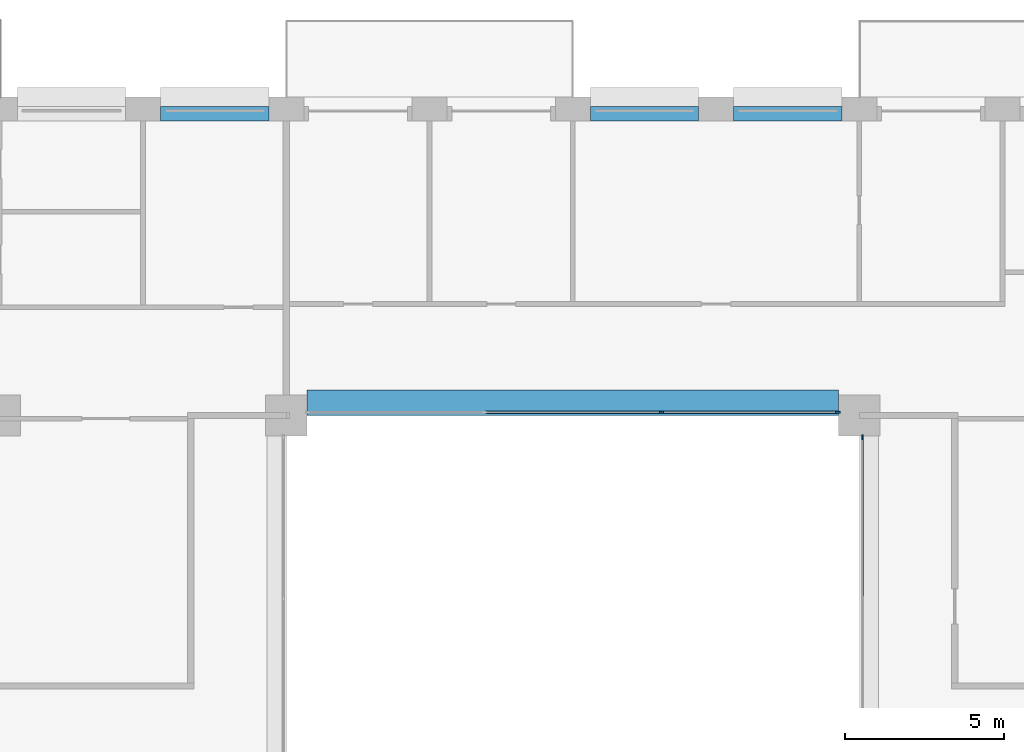
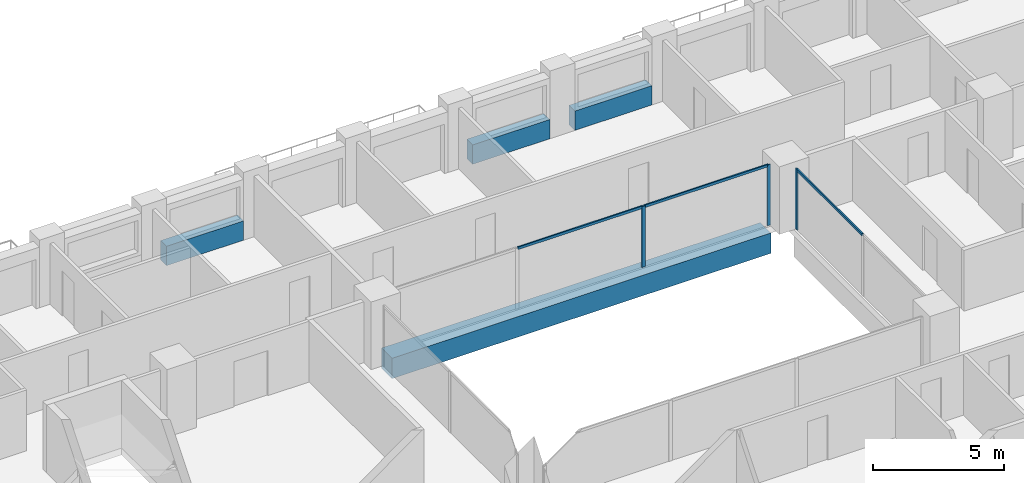
# One storey, part 6 of 16: 6 members, 4 beams, 2 elements without a shape of their own.
"""IFC4 building model written with IfcOpenShell, lengths in metres."""

from ifc_helpers import new_model, si_unit, direction, frame, origin, origin_2d, place, context, subcontext, project, spatial, rectangle, extrude, material, layer, layer_set, material_profile, profile_set, type_object, element, aggregate, save


model = new_model("IFC4")

# Units and contexts
model_context = context("Model", 3, precision=1e-05, world=origin(), true_north=direction((0.0, 1.0)))
body_context = subcontext(model_context, "Body", "Model", "MODEL_VIEW")
ifc_project = project(units=[si_unit("LENGTHUNIT", "METRE"), si_unit("AREAUNIT", "SQUARE_METRE"), si_unit("VOLUMEUNIT", "CUBIC_METRE"), si_unit("PLANEANGLEUNIT", "RADIAN"), si_unit("MASSUNIT", "GRAM", prefix="KILO")], contexts=[model_context])

# Site, building, storey
site_placement = place(None, origin())
site = spatial("IfcSite", under=ifc_project, at=site_placement, CompositionType="ELEMENT")
building_placement = place(site_placement, origin())
building = spatial("IfcBuilding", under=site, at=building_placement, Name="Brigalow Station Residences", CompositionType="ELEMENT")
storey_placement = place(building_placement, frame((0.0, 0.0, 124.5)))
storey = spatial("IfcBuildingStorey", under=building, at=storey_placement, Name="L36", CompositionType="ELEMENT", Elevation=124.5)

# Beam
ifc_material_1 = material(Name="Concrete C65", Category="concrete")
ifc_material_profile_1 = material_profile(ifc_material_1, rectangle(XDim=0.800048828125, YDim=0.949951171875, at=origin_2d()), Name="RC800x950")
ifc_profile_set_1 = profile_set([ifc_material_profile_1], Name="Concrete C65")
beam_type_1 = type_object("IfcBeamType", Name="ATRIUM EDGE GIRDER OVER 13.5 M SPAN 800x950 C65", PredefinedType="BEAM", material=ifc_profile_set_1)
beam_placement = place(storey_placement, frame((27.64990234375, 35.89990234375, -0.794921875), z_axis=(1.0, 0.0, 0.0), x_axis=(0.0, 1.0, 0.0)))
element("IfcBeam", 1, at=beam_placement, inside=storey, type_object=beam_type_1, Name="ATRIUM EDGE GIRDER D L36", PredefinedType="BEAM", context=body_context, shape_type="SweptSolid", body=[
    extrude(rectangle(XDim=0.800048828125, YDim=0.949951171875, at=origin_2d()), origin(), (0.0, 0.0, 1.0), 16.7001953125),
])

# Curtain wall, member
ifc_material_2 = material(Name="Aluminium", Category="aluminium")
ifc_layer = layer(ifc_material_2, 0.14990234375)
ifc_layer_set = layer_set([ifc_layer], Name="ATRIUM FIRE-RATED GLAZING CURTAIN WALL")
curtain_wall_type = type_object("IfcCurtainWallType", Name="ATRIUM FIRE-RATED GLAZING CURTAIN WALL", PredefinedType="NOTDEFINED", material=ifc_layer_set)
curtain_wall_1_placement = place(storey_placement, origin())
curtain_wall_1 = element("IfcCurtainWall", 2, at=curtain_wall_1_placement, inside=storey, type_object=curtain_wall_type, Name="L36/cw/atrium-E", PredefinedType="NOTDEFINED")
ifc_material_3 = material(Name="Aluminium", Category="aluminium")
ifc_material_profile_2 = material_profile(ifc_material_3, rectangle(XDim=0.06005859375, YDim=0.14990234375, at=origin_2d()), Name="ATRIUM FIRE-RATED GLAZING MULLION 60x150")
ifc_profile_set_2 = profile_set([ifc_material_profile_2], Name="Aluminium")
member_type_1 = type_object("IfcMemberType", Name="ATRIUM FIRE-RATED GLAZING MULLION 60x150", PredefinedType="MULLION", material=ifc_profile_set_2)
member_1_placement = place(storey_placement, frame((45.10009765625, 34.820068359375, 0.0), z_axis=(0.0, 0.0, 1.0), x_axis=(-1.0, 0.0, 0.0)))
member_1 = element("IfcMember", 3, at=member_1_placement, type_object=member_type_1, Name="L36/cw/atrium-E/M02", PredefinedType="MULLION", context=body_context, shape_type="SweptSolid", body=[
    extrude(rectangle(XDim=0.06005859375, YDim=0.14990234375, at=origin_2d()), origin(), (0.0, 0.0, 1.0), 2.830078125),
])

# Curtain wall, members
curtain_wall_2_placement = place(storey_placement, origin())
curtain_wall_2 = element("IfcCurtainWall", 4, at=curtain_wall_2_placement, inside=storey, type_object=curtain_wall_type, Name="L36/cw/atrium-N", PredefinedType="NOTDEFINED")
member_2_placement = place(storey_placement, frame((44.320068359375, 35.60009765625, 0.0), z_axis=(0.0, 0.0, 1.0), x_axis=(0.0, -1.0, 0.0)))
member_2 = element("IfcMember", 5, at=member_2_placement, type_object=member_type_1, Name="L36/cw/atrium-N/M00", PredefinedType="MULLION", context=body_context, shape_type="SweptSolid", body=[
    extrude(rectangle(XDim=0.06005859375, YDim=0.14990234375, at=origin_2d()), origin(), (0.0, 0.0, 1.0), 2.830078125),
])
member_3_placement = place(storey_placement, frame((38.783203125, 35.60009765625, 0.0), z_axis=(0.0, 0.0, 1.0), x_axis=(0.0, -1.0, 0.0)))
member_3 = element("IfcMember", 6, at=member_3_placement, type_object=member_type_1, Name="L36/cw/atrium-N/M01", PredefinedType="MULLION", context=body_context, shape_type="SweptSolid", body=[
    extrude(rectangle(XDim=0.06005859375, YDim=0.14990234375, at=origin_2d()), origin(), (0.0, 0.0, 1.0), 2.830078125),
])

# Member
ifc_material_4 = material(Name="Aluminium", Category="aluminium")
ifc_material_profile_3 = material_profile(ifc_material_4, rectangle(XDim=0.06005859375, YDim=0.1201171875, at=origin_2d()), Name="ATRIUM FIRE-RATED GLAZING TRANSOM 60x120")
ifc_profile_set_3 = profile_set([ifc_material_profile_3], Name="Aluminium")
member_type_2 = type_object("IfcMemberType", Name="ATRIUM FIRE-RATED GLAZING TRANSOM 60x120", PredefinedType="USERDEFINED", material=ifc_profile_set_3)
member_4_placement = place(storey_placement, frame((45.10009765625, 29.780029296875, 2.800048828125), z_axis=(0.0, 1.0, 0.0), x_axis=(-1.0, 0.0, 0.0)))
member_4 = element("IfcMember", 7, at=member_4_placement, type_object=member_type_2, Name="L36/cw/atrium-E/T01-00", ObjectType="TRANSOM", PredefinedType="USERDEFINED", context=body_context, shape_type="SweptSolid", body=[
    extrude(rectangle(XDim=0.06005859375, YDim=0.1201171875, at=origin_2d()), origin(), (0.0, 0.0, 1.0), 5.010009765625),
])

aggregate(curtain_wall_1, [member_1, member_4])

member_5_placement = place(storey_placement, frame((44.2900390625, 35.60009765625, 2.800048828125), z_axis=(-1.0, 0.0, 0.0), x_axis=(0.0, -1.0, 0.0)))
member_5 = element("IfcMember", 8, at=member_5_placement, type_object=member_type_2, Name="L36/cw/atrium-N/T00-00", ObjectType="TRANSOM", PredefinedType="USERDEFINED", context=body_context, shape_type="SweptSolid", body=[
    extrude(rectangle(XDim=0.06005859375, YDim=0.1201171875, at=origin_2d()), origin(), (0.0, 0.0, 1.0), 5.476806640625),
])

member_6_placement = place(storey_placement, frame((38.75341796875, 35.60009765625, 2.800048828125), z_axis=(-1.0, 0.0, 0.0), x_axis=(0.0, -1.0, 0.0)))
member_6 = element("IfcMember", 9, at=member_6_placement, type_object=member_type_2, Name="L36/cw/atrium-N/T01-00", ObjectType="TRANSOM", PredefinedType="USERDEFINED", context=body_context, shape_type="SweptSolid", body=[
    extrude(rectangle(XDim=0.06005859375, YDim=0.1201171875, at=origin_2d()), origin(), (0.0, 0.0, 1.0), 5.5068359375),
])

aggregate(curtain_wall_2, [member_2, member_3, member_5, member_6])

# Beams
ifc_material_5 = material(Name="Concrete C65", Category="concrete")
ifc_material_profile_4 = material_profile(ifc_material_5, rectangle(XDim=0.449951171875, YDim=0.89990234375, at=origin_2d()), Name="RC450x900")
ifc_profile_set_4 = profile_set([ifc_material_profile_4], Name="Concrete C65")
beam_type_2 = type_object("IfcBeamType", Name="SPANDREL BEAM 450x900 C65", PredefinedType="SPANDREL", material=ifc_profile_set_4)
for number, where, z_axis, x_axis, name in (
    (10, (44.449951171875, 44.97509765625, 0.449951171875), (-1.0, 0.0, 0.0), (0.0, -1.0, 0.0), "L36/spandrel/W-L36-29"),
    (11, (39.949951171875, 44.97509765625, 0.449951171875), (-1.0, 0.0, 0.0), (0.0, -1.0, 0.0), "L36/spandrel/W-L36-30"),
    (12, (26.449951171875, 44.97509765625, 0.449951171875), (-1.0, 0.0, 0.0), (0.0, -1.0, 0.0), "L36/spandrel/W-L36-33"),
):
    element("IfcBeam", number, at=place(storey_placement, frame(where, z_axis=z_axis, x_axis=x_axis)), inside=storey, type_object=beam_type_2, Name=name, PredefinedType="SPANDREL", context=body_context, shape_type="SweptSolid", body=[
        extrude(rectangle(XDim=0.449951171875, YDim=0.89990234375, at=origin_2d()), origin(), (0.0, 0.0, 1.0), 3.39990234375),
    ])

save(model, "model.ifc")
